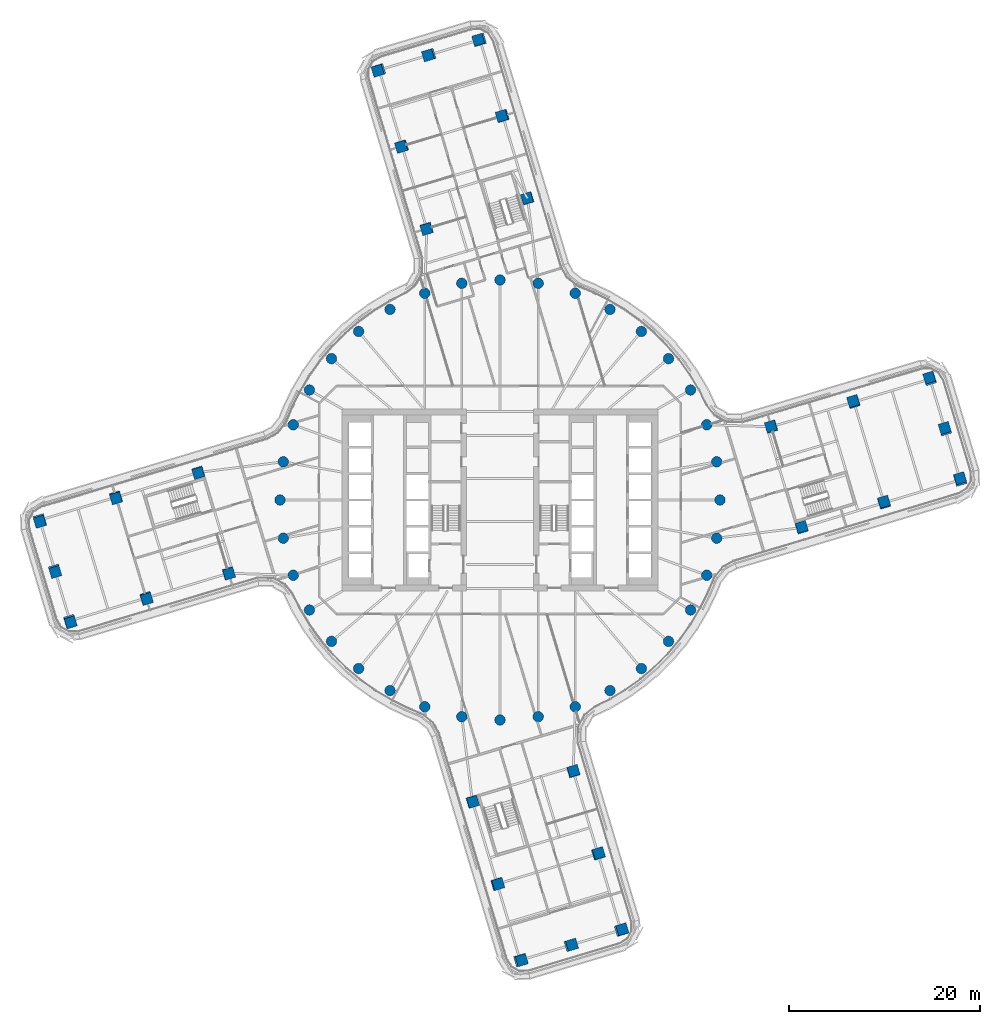
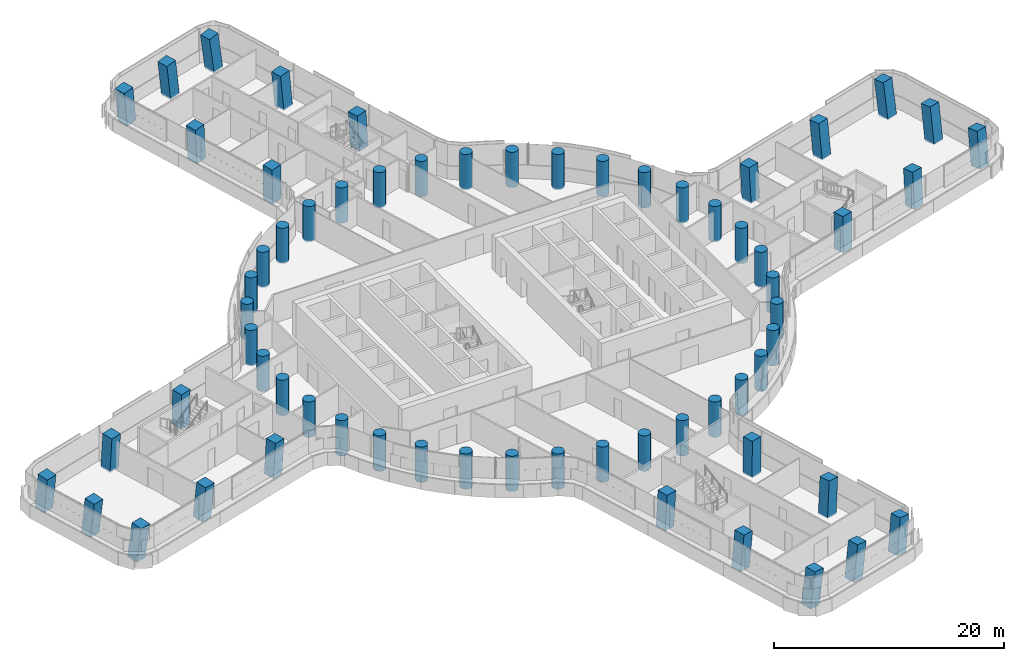
# One storey, part 1 of 32: 64 columns.
"""IFC4 building model written with IfcOpenShell, lengths in metres."""

from ifc_helpers import new_model, si_unit, direction, frame, origin, origin_2d, place, context, subcontext, project, spatial, rectangle, circle, extrude, material, material_profile, profile_set, type_object, element, save


model = new_model("IFC4")

# Units and contexts
model_context = context("Model", 3, precision=1e-05, world=origin(), true_north=direction((0.0, 1.0)))
body_context = subcontext(model_context, "Body", "Model", "MODEL_VIEW")
ifc_project = project(units=[si_unit("LENGTHUNIT", "METRE"), si_unit("AREAUNIT", "SQUARE_METRE"), si_unit("VOLUMEUNIT", "CUBIC_METRE"), si_unit("PLANEANGLEUNIT", "RADIAN"), si_unit("MASSUNIT", "GRAM", prefix="KILO")], contexts=[model_context])

# Site, building, storey
site_placement = place(None, origin())
site = spatial("IfcSite", under=ifc_project, at=site_placement, CompositionType="ELEMENT")
building_placement = place(site_placement, origin())
building = spatial("IfcBuilding", under=site, at=building_placement, Name="Tamarind Cross Interchange Tower", CompositionType="ELEMENT")
storey_placement = place(building_placement, frame((0.0, 0.0, 94.75)))
storey = spatial("IfcBuildingStorey", under=building, at=storey_placement, Name="L22", CompositionType="ELEMENT", Elevation=94.75)

# Columns
ifc_material = material(Name="Concrete C65", Category="concrete")
ifc_material_profile_1 = material_profile(ifc_material, rectangle(XDim=1.10009765625, YDim=1.10009765625, at=origin_2d()), Name="RC 1100x1100")
ifc_profile_set_1 = profile_set([ifc_material_profile_1], Name="Concrete C65")
column_type_1 = type_object("IfcColumnType", Name="Column RC 1100x1100 Concrete C65", PredefinedType="COLUMN", material=ifc_profile_set_1)
for number, where, z_axis, x_axis, name in (
    (1, (36.98681640625, 10.243896484375, -0.138427734375), (-0.050302901591, 0.072111643443, 0.996127265449), (0.285917266955, -0.954605513085, 0.083544184983), "Column L22-036"),
    (2, (40.15087890625, -0.291259765625, -0.138427734375), (0.000584161301, 0.087948729171, 0.996124831431), (-0.957646760436, -0.286780093217, 0.025881660725), "Column L22-037"),
):
    element("IfcColumn", number, at=place(storey_placement, frame(where, z_axis=z_axis, x_axis=x_axis)), inside=storey, type_object=column_type_1, Name=name, PredefinedType="COLUMN", context=body_context, shape_type="SweptSolid", body=[
        extrude(rectangle(XDim=1.10009765625, YDim=1.10009765625, at=origin_2d()), origin(), (0.0, 0.0, 1.0), 3.761474609375),
    ])
for number, where, z_axis, x_axis, name in (
    (3, (28.3671875, 7.655029296875, -0.138671875), (-0.037482934766, 0.030585033577, 0.998829107166), (0.28717120329, -0.95704029612, 0.040082060869), "Column L22-038"),
    (4, (31.53125, -2.880126953125, -0.138671875), (0.013600555694, 0.046463142419, 0.998827413161), (-0.95768107876, -0.286620663662, 0.026373216452), "Column L22-039"),
):
    element("IfcColumn", number, at=place(storey_placement, frame(where, z_axis=z_axis, x_axis=x_axis)), inside=storey, type_object=column_type_1, Name=name, PredefinedType="COLUMN", context=body_context, shape_type="SweptSolid", body=[
        extrude(rectangle(XDim=1.10009765625, YDim=1.10009765625, at=origin_2d()), origin(), (0.0, 0.0, 1.0), 3.751708984375),
    ])
column_1_placement = place(storey_placement, frame((48.119873046875, 2.102294921875, -0.138427734375), z_axis=(-0.008466113582, 0.126797823262, 0.991892452304), x_axis=(-0.957811424895, -0.285992308918, 0.028384389721)))
element("IfcColumn", 5, at=column_1_placement, inside=storey, type_object=column_type_1, Name="Column L22-040", PredefinedType="COLUMN", context=body_context, shape_type="SweptSolid", body=[
    extrude(rectangle(XDim=1.10009765625, YDim=1.10009765625, at=origin_2d()), origin(), (0.0, 0.0, 1.0), 3.777587890625),
])
column_2_placement = place(storey_placement, frame((46.537841796875, 7.36962890625, -0.138671875), z_axis=(-0.033812052191, 0.11902100972, 0.992315849098), x_axis=(-0.957756048884, -0.287575899699, 0.001858154784)))
element("IfcColumn", 6, at=column_2_placement, inside=storey, type_object=column_type_1, Name="Column L22-041", PredefinedType="COLUMN", context=body_context, shape_type="SweptSolid", body=[
    extrude(rectangle(XDim=1.10009765625, YDim=1.10009765625, at=origin_2d()), origin(), (0.0, 0.0, 1.0), 3.7763671875),
])
column_3_placement = place(storey_placement, frame((44.955810546875, 12.63720703125, -0.138671875), z_axis=(-0.05913894137, 0.111103650508, 0.992047662392), x_axis=(0.284009008358, -0.950845112729, 0.123419831352)))
element("IfcColumn", 7, at=column_3_placement, inside=storey, type_object=column_type_1, Name="Column L22-042", PredefinedType="COLUMN", context=body_context, shape_type="SweptSolid", body=[
    extrude(rectangle(XDim=1.10009765625, YDim=1.10009765625, at=origin_2d()), origin(), (0.0, 0.0, 1.0), 3.77734375),
])
for number, where, z_axis, x_axis, name in (
    (8, (-10.243896484375, 36.98681640625, -0.138427734375), (-0.072111643443, -0.050302901591, 0.996127265449), (0.954605513085, 0.285917266955, 0.083544184983), "Column L22-043"),
    (9, (0.291259765625, 40.15087890625, -0.138427734375), (-0.087948729171, 0.000584161301, 0.996124831431), (0.286780093217, -0.957646760436, 0.025881660725), "Column L22-044"),
):
    element("IfcColumn", number, at=place(storey_placement, frame(where, z_axis=z_axis, x_axis=x_axis)), inside=storey, type_object=column_type_1, Name=name, PredefinedType="COLUMN", context=body_context, shape_type="SweptSolid", body=[
        extrude(rectangle(XDim=1.10009765625, YDim=1.10009765625, at=origin_2d()), origin(), (0.0, 0.0, 1.0), 3.761474609375),
    ])
for number, where, z_axis, x_axis, name in (
    (10, (-7.655029296875, 28.3671875, -0.138671875), (-0.030585033577, -0.037482934766, 0.998829107166), (0.95704029612, 0.28717120329, 0.040082060869), "Column L22-045"),
    (11, (2.880126953125, 31.53125, -0.138671875), (-0.046463142419, 0.013600555694, 0.998827413161), (0.286620663662, -0.95768107876, 0.026373216452), "Column L22-046"),
):
    element("IfcColumn", number, at=place(storey_placement, frame(where, z_axis=z_axis, x_axis=x_axis)), inside=storey, type_object=column_type_1, Name=name, PredefinedType="COLUMN", context=body_context, shape_type="SweptSolid", body=[
        extrude(rectangle(XDim=1.10009765625, YDim=1.10009765625, at=origin_2d()), origin(), (0.0, 0.0, 1.0), 3.751708984375),
    ])
column_4_placement = place(storey_placement, frame((-2.102294921875, 48.119873046875, -0.138427734375), z_axis=(-0.126797823262, -0.008466113582, 0.991892452304), x_axis=(0.285992308918, -0.957811424895, 0.028384389721)))
element("IfcColumn", 12, at=column_4_placement, inside=storey, type_object=column_type_1, Name="Column L22-047", PredefinedType="COLUMN", context=body_context, shape_type="SweptSolid", body=[
    extrude(rectangle(XDim=1.10009765625, YDim=1.10009765625, at=origin_2d()), origin(), (0.0, 0.0, 1.0), 3.777587890625),
])
column_5_placement = place(storey_placement, frame((-7.36962890625, 46.537841796875, -0.138671875), z_axis=(-0.11902100972, -0.033812052191, 0.992315849098), x_axis=(0.287575899699, -0.957756048884, 0.001858154784)))
element("IfcColumn", 13, at=column_5_placement, inside=storey, type_object=column_type_1, Name="Column L22-048", PredefinedType="COLUMN", context=body_context, shape_type="SweptSolid", body=[
    extrude(rectangle(XDim=1.10009765625, YDim=1.10009765625, at=origin_2d()), origin(), (0.0, 0.0, 1.0), 3.7763671875),
])
column_6_placement = place(storey_placement, frame((-12.63720703125, 44.955810546875, -0.138671875), z_axis=(-0.111103650508, -0.05913894137, 0.992047662392), x_axis=(0.950845112729, 0.284009008358, 0.123419831352)))
element("IfcColumn", 14, at=column_6_placement, inside=storey, type_object=column_type_1, Name="Column L22-049", PredefinedType="COLUMN", context=body_context, shape_type="SweptSolid", body=[
    extrude(rectangle(XDim=1.10009765625, YDim=1.10009765625, at=origin_2d()), origin(), (0.0, 0.0, 1.0), 3.77734375),
])
for number, where, z_axis, x_axis, name in (
    (15, (-36.98681640625, -10.243896484375, -0.138427734375), (0.050302901591, -0.072111643443, 0.996127265449), (-0.285917266955, 0.954605513085, 0.083544184983), "Column L22-050"),
    (16, (-40.15087890625, 0.291259765625, -0.138427734375), (-0.000584161301, -0.087948729171, 0.996124831431), (0.957646760436, 0.286780093217, 0.025881660725), "Column L22-051"),
):
    element("IfcColumn", number, at=place(storey_placement, frame(where, z_axis=z_axis, x_axis=x_axis)), inside=storey, type_object=column_type_1, Name=name, PredefinedType="COLUMN", context=body_context, shape_type="SweptSolid", body=[
        extrude(rectangle(XDim=1.10009765625, YDim=1.10009765625, at=origin_2d()), origin(), (0.0, 0.0, 1.0), 3.761474609375),
    ])
for number, where, z_axis, x_axis, name in (
    (17, (-28.3671875, -7.655029296875, -0.138671875), (0.037482934766, -0.030585033577, 0.998829107166), (-0.28717120329, 0.95704029612, 0.040082060869), "Column L22-052"),
    (18, (-31.53125, 2.880126953125, -0.138671875), (-0.013600555694, -0.046463142419, 0.998827413161), (0.95768107876, 0.286620663662, 0.026373216452), "Column L22-053"),
):
    element("IfcColumn", number, at=place(storey_placement, frame(where, z_axis=z_axis, x_axis=x_axis)), inside=storey, type_object=column_type_1, Name=name, PredefinedType="COLUMN", context=body_context, shape_type="SweptSolid", body=[
        extrude(rectangle(XDim=1.10009765625, YDim=1.10009765625, at=origin_2d()), origin(), (0.0, 0.0, 1.0), 3.751708984375),
    ])
column_7_placement = place(storey_placement, frame((-48.119873046875, -2.102294921875, -0.138427734375), z_axis=(0.008466113582, -0.126797823262, 0.991892452304), x_axis=(0.957811424895, 0.285992308918, 0.028384389721)))
element("IfcColumn", 19, at=column_7_placement, inside=storey, type_object=column_type_1, Name="Column L22-054", PredefinedType="COLUMN", context=body_context, shape_type="SweptSolid", body=[
    extrude(rectangle(XDim=1.10009765625, YDim=1.10009765625, at=origin_2d()), origin(), (0.0, 0.0, 1.0), 3.777587890625),
])
column_8_placement = place(storey_placement, frame((-46.537841796875, -7.36962890625, -0.138671875), z_axis=(0.033812052191, -0.11902100972, 0.992315849098), x_axis=(0.957756048884, 0.287575899699, 0.001858154784)))
element("IfcColumn", 20, at=column_8_placement, inside=storey, type_object=column_type_1, Name="Column L22-055", PredefinedType="COLUMN", context=body_context, shape_type="SweptSolid", body=[
    extrude(rectangle(XDim=1.10009765625, YDim=1.10009765625, at=origin_2d()), origin(), (0.0, 0.0, 1.0), 3.7763671875),
])
column_9_placement = place(storey_placement, frame((-44.955810546875, -12.63720703125, -0.138671875), z_axis=(0.05913894137, -0.111103650508, 0.992047662392), x_axis=(-0.284009008358, 0.950845112729, 0.123419831352)))
element("IfcColumn", 21, at=column_9_placement, inside=storey, type_object=column_type_1, Name="Column L22-056", PredefinedType="COLUMN", context=body_context, shape_type="SweptSolid", body=[
    extrude(rectangle(XDim=1.10009765625, YDim=1.10009765625, at=origin_2d()), origin(), (0.0, 0.0, 1.0), 3.77734375),
])
for number, where, z_axis, x_axis, name in (
    (22, (10.243896484375, -36.98681640625, -0.138427734375), (0.072111643443, 0.050302901591, 0.996127265449), (-0.954605513085, -0.285917266955, 0.083544184983), "Column L22-057"),
    (23, (-0.291259765625, -40.15087890625, -0.138427734375), (0.087948729171, -0.000584161301, 0.996124831431), (-0.286780093217, 0.957646760436, 0.025881660725), "Column L22-058"),
):
    element("IfcColumn", number, at=place(storey_placement, frame(where, z_axis=z_axis, x_axis=x_axis)), inside=storey, type_object=column_type_1, Name=name, PredefinedType="COLUMN", context=body_context, shape_type="SweptSolid", body=[
        extrude(rectangle(XDim=1.10009765625, YDim=1.10009765625, at=origin_2d()), origin(), (0.0, 0.0, 1.0), 3.761474609375),
    ])
for number, where, z_axis, x_axis, name in (
    (24, (7.655029296875, -28.3671875, -0.138671875), (0.030585033577, 0.037482934766, 0.998829107166), (-0.95704029612, -0.28717120329, 0.040082060869), "Column L22-059"),
    (25, (-2.880126953125, -31.53125, -0.138671875), (0.046463142419, -0.013600555694, 0.998827413161), (-0.286620663662, 0.95768107876, 0.026373216452), "Column L22-060"),
):
    element("IfcColumn", number, at=place(storey_placement, frame(where, z_axis=z_axis, x_axis=x_axis)), inside=storey, type_object=column_type_1, Name=name, PredefinedType="COLUMN", context=body_context, shape_type="SweptSolid", body=[
        extrude(rectangle(XDim=1.10009765625, YDim=1.10009765625, at=origin_2d()), origin(), (0.0, 0.0, 1.0), 3.751708984375),
    ])
column_10_placement = place(storey_placement, frame((2.102294921875, -48.119873046875, -0.138427734375), z_axis=(0.126797823262, 0.008466113582, 0.991892452304), x_axis=(-0.285992308918, 0.957811424895, 0.028384389721)))
element("IfcColumn", 26, at=column_10_placement, inside=storey, type_object=column_type_1, Name="Column L22-061", PredefinedType="COLUMN", context=body_context, shape_type="SweptSolid", body=[
    extrude(rectangle(XDim=1.10009765625, YDim=1.10009765625, at=origin_2d()), origin(), (0.0, 0.0, 1.0), 3.777587890625),
])
column_11_placement = place(storey_placement, frame((7.36962890625, -46.537841796875, -0.138671875), z_axis=(0.11902100972, 0.033812052191, 0.992315849098), x_axis=(-0.287575899699, 0.957756048884, 0.001858154784)))
element("IfcColumn", 27, at=column_11_placement, inside=storey, type_object=column_type_1, Name="Column L22-062", PredefinedType="COLUMN", context=body_context, shape_type="SweptSolid", body=[
    extrude(rectangle(XDim=1.10009765625, YDim=1.10009765625, at=origin_2d()), origin(), (0.0, 0.0, 1.0), 3.7763671875),
])
column_12_placement = place(storey_placement, frame((12.63720703125, -44.955810546875, -0.138671875), z_axis=(0.111103650508, 0.05913894137, 0.992047662392), x_axis=(-0.950845112729, -0.284009008358, 0.123419831352)))
element("IfcColumn", 28, at=column_12_placement, inside=storey, type_object=column_type_1, Name="Column L22-063", PredefinedType="COLUMN", context=body_context, shape_type="SweptSolid", body=[
    extrude(rectangle(XDim=1.10009765625, YDim=1.10009765625, at=origin_2d()), origin(), (0.0, 0.0, 1.0), 3.77734375),
])
ifc_material_profile_2 = material_profile(ifc_material, circle(Radius=0.550048828125, at=origin_2d()), Name="RC D1100")
ifc_profile_set_2 = profile_set([ifc_material_profile_2], Name="Concrete C65")
column_type_2 = type_object("IfcColumnType", Name="Column RC D1100 Concrete C65", PredefinedType="COLUMN", material=ifc_profile_set_2)
for number, where, z_axis, x_axis, name in (
    (29, (23.0, 0.0, -0.139892578125), (0.0, 0.0, 1.0), (1.0, 0.0, 0.0), "Column L22-000"),
    (30, (22.650634765625, 3.993896484375, -0.139892578125), (0.0, 0.0, 1.0), (1.0, 0.0, 0.0), "Column L22-001"),
    (31, (21.613037109375, 7.866455078125, -0.139892578125), (0.0, 0.0, 1.0), (1.0, 0.0, 0.0), "Column L22-002"),
    (32, (19.918701171875, 11.5, -0.139892578125), (0.0, 0.0, 1.0), (1.0, 0.0, 0.0), "Column L22-003"),
    (33, (17.619140625, 14.7841796875, -0.139892578125), (0.0, 0.0, 1.0), (1.0, 0.0, 0.0), "Column L22-004"),
    (34, (14.7841796875, 17.619140625, -0.139892578125), (0.0, 0.0, 1.0), (1.0, 0.0, 0.0), "Column L22-005"),
    (35, (11.5, 19.918701171875, -0.139892578125), (0.0, 0.0, 1.0), (1.0, 0.0, 0.0), "Column L22-006"),
    (36, (7.866455078125, 21.613037109375, -0.139892578125), (0.0, 0.0, 1.0), (1.0, 0.0, 0.0), "Column L22-007"),
    (37, (3.993896484375, 22.650634765625, -0.139892578125), (0.0, 0.0, 1.0), (1.0, 0.0, 0.0), "Column L22-008"),
    (38, (0.0, 23.0, -0.139892578125), (0.0, 0.0, 1.0), (1.0, 0.0, 0.0), "Column L22-009"),
    (39, (-3.993896484375, 22.650634765625, -0.139892578125), (0.0, 0.0, 1.0), (1.0, 0.0, 0.0), "Column L22-010"),
    (40, (-7.866455078125, 21.613037109375, -0.139892578125), (0.0, 0.0, 1.0), (1.0, 0.0, 0.0), "Column L22-011"),
    (41, (-11.5, 19.918701171875, -0.139892578125), (0.0, 0.0, 1.0), (1.0, 0.0, 0.0), "Column L22-012"),
    (42, (-14.7841796875, 17.619140625, -0.139892578125), (0.0, 0.0, 1.0), (1.0, 0.0, 0.0), "Column L22-013"),
    (43, (-17.619140625, 14.7841796875, -0.139892578125), (0.0, 0.0, 1.0), (1.0, 0.0, 0.0), "Column L22-014"),
    (44, (-19.918701171875, 11.5, -0.139892578125), (0.0, 0.0, 1.0), (1.0, 0.0, 0.0), "Column L22-015"),
    (45, (-21.613037109375, 7.866455078125, -0.139892578125), (0.0, 0.0, 1.0), (1.0, 0.0, 0.0), "Column L22-016"),
    (46, (-22.650634765625, 3.993896484375, -0.139892578125), (0.0, 0.0, 1.0), (1.0, 0.0, 0.0), "Column L22-017"),
    (47, (-23.0, 0.0, -0.139892578125), (0.0, 0.0, 1.0), (1.0, 0.0, 0.0), "Column L22-018"),
    (48, (-22.650634765625, -3.993896484375, -0.139892578125), (0.0, 0.0, 1.0), (1.0, 0.0, 0.0), "Column L22-019"),
    (49, (-21.613037109375, -7.866455078125, -0.139892578125), (0.0, 0.0, 1.0), (1.0, 0.0, 0.0), "Column L22-020"),
    (50, (-19.918701171875, -11.5, -0.139892578125), (0.0, 0.0, 1.0), (1.0, 0.0, 0.0), "Column L22-021"),
    (51, (-17.619140625, -14.7841796875, -0.139892578125), (0.0, 0.0, 1.0), (1.0, 0.0, 0.0), "Column L22-022"),
    (52, (-14.7841796875, -17.619140625, -0.139892578125), (0.0, 0.0, 1.0), (1.0, 0.0, 0.0), "Column L22-023"),
    (53, (-11.5, -19.918701171875, -0.139892578125), (0.0, 0.0, 1.0), (1.0, 0.0, 0.0), "Column L22-024"),
    (54, (-7.866455078125, -21.613037109375, -0.139892578125), (0.0, 0.0, 1.0), (1.0, 0.0, 0.0), "Column L22-025"),
    (55, (-3.993896484375, -22.650634765625, -0.139892578125), (0.0, 0.0, 1.0), (1.0, 0.0, 0.0), "Column L22-026"),
    (56, (0.0, -23.0, -0.139892578125), (0.0, 0.0, 1.0), (1.0, 0.0, 0.0), "Column L22-027"),
    (57, (3.993896484375, -22.650634765625, -0.139892578125), (0.0, 0.0, 1.0), (1.0, 0.0, 0.0), "Column L22-028"),
    (58, (7.866455078125, -21.613037109375, -0.139892578125), (0.0, 0.0, 1.0), (1.0, 0.0, 0.0), "Column L22-029"),
    (59, (11.5, -19.918701171875, -0.139892578125), (0.0, 0.0, 1.0), (1.0, 0.0, 0.0), "Column L22-030"),
    (60, (14.7841796875, -17.619140625, -0.139892578125), (0.0, 0.0, 1.0), (1.0, 0.0, 0.0), "Column L22-031"),
    (61, (17.619140625, -14.7841796875, -0.139892578125), (0.0, 0.0, 1.0), (1.0, 0.0, 0.0), "Column L22-032"),
    (62, (19.918701171875, -11.5, -0.139892578125), (0.0, 0.0, 1.0), (1.0, 0.0, 0.0), "Column L22-033"),
    (63, (21.613037109375, -7.866455078125, -0.139892578125), (0.0, 0.0, 1.0), (1.0, 0.0, 0.0), "Column L22-034"),
    (64, (22.650634765625, -3.993896484375, -0.139892578125), (0.0, 0.0, 1.0), (1.0, 0.0, 0.0), "Column L22-035"),
):
    element("IfcColumn", number, at=place(storey_placement, frame(where, z_axis=z_axis, x_axis=x_axis)), inside=storey, type_object=column_type_2, Name=name, PredefinedType="COLUMN", context=body_context, shape_type="SweptSolid", body=[
        extrude(circle(Radius=0.550048828125, at=origin_2d()), origin(), (0.0, 0.0, 1.0), 3.75),
    ])

save(model, "model.ifc")
